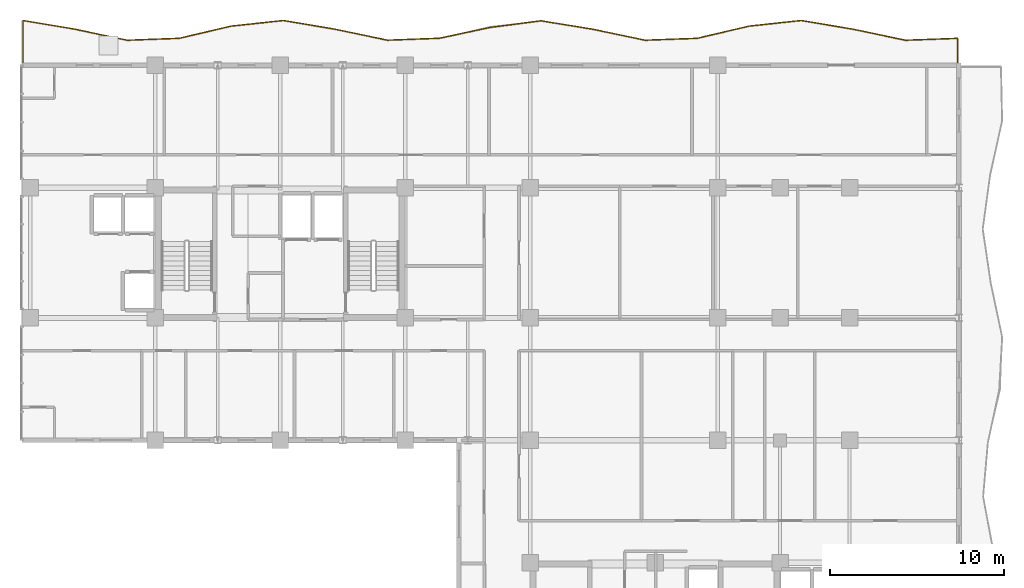
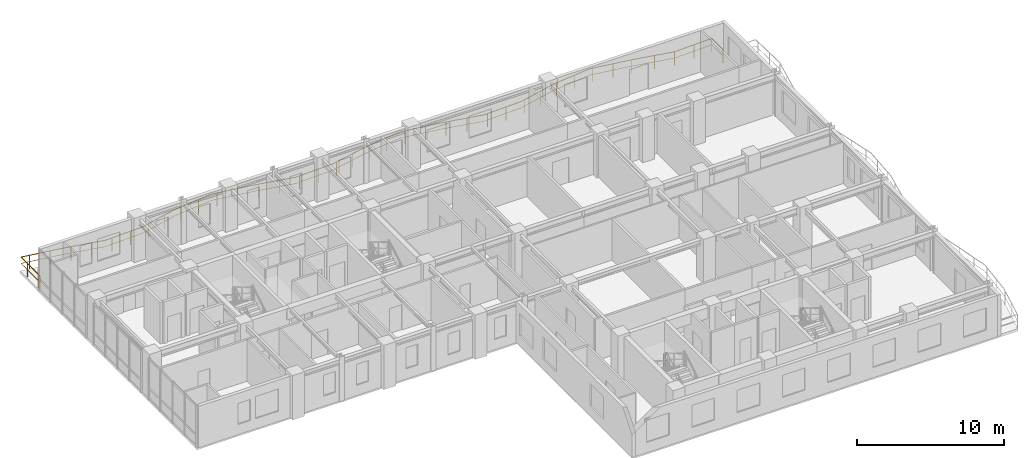
# One storey, part 20 of 20: 1 railing.
"""IFC4 building model written with IfcOpenShell, lengths in metres."""

from ifc_helpers import new_model, si_unit, direction, frame, origin, origin_2d, place, context, subcontext, project, spatial, rectangle, extrude, material, type_object, element, save


model = new_model("IFC4")

# Units and contexts
model_context = context("Model", 3, precision=1e-05, world=origin(), true_north=direction((0.0, 1.0)))
body_context = subcontext(model_context, "Body", "Model", "MODEL_VIEW")
ifc_project = project(units=[si_unit("LENGTHUNIT", "METRE"), si_unit("AREAUNIT", "SQUARE_METRE"), si_unit("VOLUMEUNIT", "CUBIC_METRE"), si_unit("PLANEANGLEUNIT", "RADIAN"), si_unit("MASSUNIT", "GRAM", prefix="KILO")], contexts=[model_context])

# Site, building, storey
site_placement = place(None, origin())
site = spatial("IfcSite", under=ifc_project, at=site_placement, CompositionType="ELEMENT")
building_placement = place(site_placement, origin())
building = spatial("IfcBuilding", under=site, at=building_placement, Name="Kaliganga Portal Commons", CompositionType="ELEMENT")
storey_placement = place(building_placement, frame((0.0, 0.0, 216.60009765625)))
storey = spatial("IfcBuildingStorey", under=building, at=storey_placement, Name="L55", CompositionType="ELEMENT", Elevation=216.60009765625)

# Railing
ifc_material = material(Name="Laminated Safety Glass and Stainless Steel 316", Category="steel")
railing_type = type_object("IfcRailingType", Name="RLG-BAL-1150", PredefinedType="BALUSTRADE", material=ifc_material)
railing_placement = place(storey_placement, frame((60.6201171875, 43.205322265625, 0.0)))
element("IfcRailing", 1, at=railing_placement, inside=storey, type_object=railing_type, Name="Balcony Guardrail L55 balc_north", PredefinedType="BALUSTRADE", context=body_context, shape_type="SweptSolid", body=[
    extrude(rectangle(XDim=0.048095703125, YDim=0.048095703125, at=origin_2d()), frame((0.0, 0.0, 1.1259765625), z_axis=(0.0, 1.0, 0.0), x_axis=(-1.0, 0.0, 0.0)), (0.0, 0.0, 1.0), 1.5556640625),
    extrude(rectangle(XDim=0.028076171875, YDim=0.028076171875, at=origin_2d()), frame((0.0, 0.0, 0.597900390625), z_axis=(0.0, 1.0, 0.0), x_axis=(-1.0, 0.0, 0.0)), (0.0, 0.0, 1.0), 1.5556640625),
    extrude(rectangle(XDim=0.048095703125, YDim=0.048095703125, at=origin_2d()), frame((0.0, 1.5556640625, 1.1259765625), z_axis=(-0.999309140454, -0.03716506162, 0.0), x_axis=(0.03716506162, -0.999309140454, 0.0)), (0.0, 0.0, 1.0), 3.001953125),
    extrude(rectangle(XDim=0.028076171875, YDim=0.028076171875, at=origin_2d()), frame((0.0, 1.5556640625, 0.597900390625), z_axis=(-0.999309140454, -0.03716506162, 0.0), x_axis=(0.03716506162, -0.999309140454, 0.0)), (0.0, 0.0, 1.0), 3.001953125),
    extrude(rectangle(XDim=0.048095703125, YDim=0.048095703125, at=origin_2d()), frame((-3.0, 1.444091796875, 1.1259765625), z_axis=(-0.978275241205, 0.207310280607, 0.0), x_axis=(-0.207310280607, -0.978275241205, 0.0)), (0.0, 0.0, 1.0), 3.066650390625),
    extrude(rectangle(XDim=0.028076171875, YDim=0.028076171875, at=origin_2d()), frame((-3.0, 1.444091796875, 0.597900390625), z_axis=(-0.978275241205, 0.207310280607, 0.0), x_axis=(-0.207310280607, -0.978275241205, 0.0)), (0.0, 0.0, 1.0), 3.066650390625),
    extrude(rectangle(XDim=0.048095703125, YDim=0.048095703125, at=origin_2d()), frame((-6.0, 2.079833984375, 1.1259765625), z_axis=(-0.986198008648, 0.165570189766, 0.0), x_axis=(-0.165570189766, -0.986198008648, 0.0)), (0.0, 0.0, 1.0), 3.0419921875),
    extrude(rectangle(XDim=0.028076171875, YDim=0.028076171875, at=origin_2d()), frame((-6.0, 2.079833984375, 0.597900390625), z_axis=(-0.986198008648, 0.165570189766, 0.0), x_axis=(-0.165570189766, -0.986198008648, 0.0)), (0.0, 0.0, 1.0), 3.0419921875),
    extrude(rectangle(XDim=0.048095703125, YDim=0.048095703125, at=origin_2d()), frame((-9.0, 2.58349609375, 1.1259765625), z_axis=(-0.994219425712, -0.107367283359, 0.0), x_axis=(0.107367283359, -0.994219425712, 0.0)), (0.0, 0.0, 1.0), 3.017333984375),
    extrude(rectangle(XDim=0.028076171875, YDim=0.028076171875, at=origin_2d()), frame((-9.0, 2.58349609375, 0.597900390625), z_axis=(-0.994219425712, -0.107367283359, 0.0), x_axis=(0.107367283359, -0.994219425712, 0.0)), (0.0, 0.0, 1.0), 3.017333984375),
    extrude(rectangle(XDim=0.048095703125, YDim=0.048095703125, at=origin_2d()), frame((-12.0, 2.259521484375, 1.1259765625), z_axis=(-0.973633911269, -0.228116213423, 0.0), x_axis=(0.228116213423, -0.973633911269, 0.0)), (0.0, 0.0, 1.0), 3.081298828125),
    extrude(rectangle(XDim=0.028076171875, YDim=0.028076171875, at=origin_2d()), frame((-12.0, 2.259521484375, 0.597900390625), z_axis=(-0.973633911269, -0.228116213423, 0.0), x_axis=(0.228116213423, -0.973633911269, 0.0)), (0.0, 0.0, 1.0), 3.081298828125),
    extrude(rectangle(XDim=0.048095703125, YDim=0.048095703125, at=origin_2d()), frame((-15.0, 1.556640625, 1.1259765625), z_axis=(-0.999321169091, -0.036840209114, 0.0), x_axis=(0.036840209114, -0.999321169091, 0.0)), (0.0, 0.0, 1.0), 3.001953125),
    extrude(rectangle(XDim=0.028076171875, YDim=0.028076171875, at=origin_2d()), frame((-15.0, 1.556640625, 0.597900390625), z_axis=(-0.999321169091, -0.036840209114, 0.0), x_axis=(0.036840209114, -0.999321169091, 0.0)), (0.0, 0.0, 1.0), 3.001953125),
    extrude(rectangle(XDim=0.048095703125, YDim=0.048095703125, at=origin_2d()), frame((-18.0, 1.446044921875, 1.1259765625), z_axis=(-0.978597077501, 0.205785713563, 0.0), x_axis=(-0.205785713563, -0.978597077501, 0.0)), (0.0, 0.0, 1.0), 3.065673828125),
    extrude(rectangle(XDim=0.028076171875, YDim=0.028076171875, at=origin_2d()), frame((-18.0, 1.446044921875, 0.597900390625), z_axis=(-0.978597077501, 0.205785713563, 0.0), x_axis=(-0.205785713563, -0.978597077501, 0.0)), (0.0, 0.0, 1.0), 3.065673828125),
    extrude(rectangle(XDim=0.048095703125, YDim=0.048095703125, at=origin_2d()), frame((-21.0, 2.076904296875, 1.1259765625), z_axis=(-0.986925313744, 0.161178240128, 0.0), x_axis=(-0.161178240128, -0.986925313744, 0.0)), (0.0, 0.0, 1.0), 3.037109375),
    extrude(rectangle(XDim=0.028076171875, YDim=0.028076171875, at=origin_2d()), frame((-21.0, 2.076904296875, 0.597900390625), z_axis=(-0.986925313744, 0.161178240128, 0.0), x_axis=(-0.161178240128, -0.986925313744, 0.0)), (0.0, 0.0, 1.0), 3.037109375),
    extrude(rectangle(XDim=0.048095703125, YDim=0.048095703125, at=origin_2d()), frame((-23.997314453125, 2.56640625, 1.1259765625), z_axis=(-0.991467820321, -0.130351683026, 0.0), x_axis=(0.130351683026, -0.991467820321, 0.0)), (0.0, 0.0, 1.0), 2.947998046875),
    extrude(rectangle(XDim=0.028076171875, YDim=0.028076171875, at=origin_2d()), frame((-23.997314453125, 2.56640625, 0.597900390625), z_axis=(-0.991467820321, -0.130351683026, 0.0), x_axis=(0.130351683026, -0.991467820321, 0.0)), (0.0, 0.0, 1.0), 2.947998046875),
    extrude(rectangle(XDim=0.048095703125, YDim=0.048095703125, at=origin_2d()), frame((-26.920166015625, 2.18212890625, 1.1259765625), z_axis=(-0.978137438655, -0.207959493897, 0.0), x_axis=(0.207959493897, -0.978137438655, 0.0)), (0.0, 0.0, 1.0), 2.9853515625),
    extrude(rectangle(XDim=0.028076171875, YDim=0.028076171875, at=origin_2d()), frame((-26.920166015625, 2.18212890625, 0.597900390625), z_axis=(-0.978137438655, -0.207959493897, 0.0), x_axis=(0.207959493897, -0.978137438655, 0.0)), (0.0, 0.0, 1.0), 2.9853515625),
    extrude(rectangle(XDim=0.048095703125, YDim=0.048095703125, at=origin_2d()), frame((-29.84033203125, 1.561279296875, 1.1259765625), z_axis=(-0.999281691014, -0.037895936524, 0.0), x_axis=(0.037895936524, -0.999281691014, 0.0)), (0.0, 0.0, 1.0), 3.002197265625),
    extrude(rectangle(XDim=0.028076171875, YDim=0.028076171875, at=origin_2d()), frame((-29.84033203125, 1.561279296875, 0.597900390625), z_axis=(-0.999281691014, -0.037895936524, 0.0), x_axis=(0.037895936524, -0.999281691014, 0.0)), (0.0, 0.0, 1.0), 3.002197265625),
    extrude(rectangle(XDim=0.048095703125, YDim=0.048095703125, at=origin_2d()), frame((-32.84033203125, 1.447509765625, 1.1259765625), z_axis=(-0.978593704597, 0.205801752477, 0.0), x_axis=(-0.205801752477, -0.978593704597, 0.0)), (0.0, 0.0, 1.0), 3.0654296875),
    extrude(rectangle(XDim=0.028076171875, YDim=0.028076171875, at=origin_2d()), frame((-32.84033203125, 1.447509765625, 0.597900390625), z_axis=(-0.978593704597, 0.205801752477, 0.0), x_axis=(-0.205801752477, -0.978593704597, 0.0)), (0.0, 0.0, 1.0), 3.0654296875),
    extrude(rectangle(XDim=0.048095703125, YDim=0.048095703125, at=origin_2d()), frame((-35.840087890625, 2.078369140625, 1.1259765625), z_axis=(-0.986213308315, 0.165479033424, 0.0), x_axis=(-0.165479033424, -0.986213308315, 0.0)), (0.0, 0.0, 1.0), 3.042236328125),
    extrude(rectangle(XDim=0.028076171875, YDim=0.028076171875, at=origin_2d()), frame((-35.840087890625, 2.078369140625, 0.597900390625), z_axis=(-0.986213308315, 0.165479033424, 0.0), x_axis=(-0.165479033424, -0.986213308315, 0.0)), (0.0, 0.0, 1.0), 3.042236328125),
    extrude(rectangle(XDim=0.048095703125, YDim=0.048095703125, at=origin_2d()), frame((-38.84033203125, 2.581787109375, 1.1259765625), z_axis=(-0.9942788065, -0.106815986374, 0.0), x_axis=(0.106815986374, -0.9942788065, 0.0)), (0.0, 0.0, 1.0), 3.01708984375),
    extrude(rectangle(XDim=0.028076171875, YDim=0.028076171875, at=origin_2d()), frame((-38.84033203125, 2.581787109375, 0.597900390625), z_axis=(-0.9942788065, -0.106815986374, 0.0), x_axis=(0.106815986374, -0.9942788065, 0.0)), (0.0, 0.0, 1.0), 3.01708984375),
    extrude(rectangle(XDim=0.048095703125, YDim=0.048095703125, at=origin_2d()), frame((-41.840087890625, 2.259521484375, 1.1259765625), z_axis=(-0.973598704709, -0.228266428082, 0.0), x_axis=(0.228266428082, -0.973598704709, 0.0)), (0.0, 0.0, 1.0), 3.081298828125),
    extrude(rectangle(XDim=0.028076171875, YDim=0.028076171875, at=origin_2d()), frame((-41.840087890625, 2.259521484375, 0.597900390625), z_axis=(-0.973598704709, -0.228266428082, 0.0), x_axis=(0.228266428082, -0.973598704709, 0.0)), (0.0, 0.0, 1.0), 3.081298828125),
    extrude(rectangle(XDim=0.048095703125, YDim=0.048095703125, at=origin_2d()), frame((-44.840087890625, 1.55615234375, 1.1259765625), z_axis=(-0.99930611684, -0.03724627291, 0.0), x_axis=(0.03724627291, -0.99930611684, 0.0)), (0.0, 0.0, 1.0), 3.002197265625),
    extrude(rectangle(XDim=0.028076171875, YDim=0.028076171875, at=origin_2d()), frame((-44.840087890625, 1.55615234375, 0.597900390625), z_axis=(-0.99930611684, -0.03724627291, 0.0), x_axis=(0.03724627291, -0.99930611684, 0.0)), (0.0, 0.0, 1.0), 3.002197265625),
    extrude(rectangle(XDim=0.048095703125, YDim=0.048095703125, at=origin_2d()), frame((-47.840087890625, 1.4443359375, 1.1259765625), z_axis=(-0.978275241205, 0.207310280607, 0.0), x_axis=(-0.207310280607, -0.978275241205, 0.0)), (0.0, 0.0, 1.0), 3.066650390625),
    extrude(rectangle(XDim=0.028076171875, YDim=0.028076171875, at=origin_2d()), frame((-47.840087890625, 1.4443359375, 0.597900390625), z_axis=(-0.978275241205, 0.207310280607, 0.0), x_axis=(-0.207310280607, -0.978275241205, 0.0)), (0.0, 0.0, 1.0), 3.066650390625),
    extrude(rectangle(XDim=0.048095703125, YDim=0.048095703125, at=origin_2d()), frame((-50.840087890625, 2.080078125, 1.1259765625), z_axis=(-0.986145542963, 0.165882392359, 0.0), x_axis=(-0.165882392359, -0.986145542963, 0.0)), (0.0, 0.0, 1.0), 3.042236328125),
    extrude(rectangle(XDim=0.028076171875, YDim=0.028076171875, at=origin_2d()), frame((-50.840087890625, 2.080078125, 0.597900390625), z_axis=(-0.986145542963, 0.165882392359, 0.0), x_axis=(-0.165882392359, -0.986145542963, 0.0)), (0.0, 0.0, 1.0), 3.042236328125),
    extrude(rectangle(XDim=0.048095703125, YDim=0.048095703125, at=origin_2d()), frame((-53.840087890625, 2.584716796875, 1.1259765625), z_axis=(-9.4455464e-05, -0.999999995539, 0.0), x_axis=(0.999999995539, -9.4455464e-05, 0.0)), (0.0, 0.0, 1.0), 2.584716796875),
    extrude(rectangle(XDim=0.028076171875, YDim=0.028076171875, at=origin_2d()), frame((-53.840087890625, 2.584716796875, 0.597900390625), z_axis=(-9.4455464e-05, -0.999999995539, 0.0), x_axis=(0.999999995539, -9.4455464e-05, 0.0)), (0.0, 0.0, 1.0), 2.584716796875),
    extrude(rectangle(XDim=0.0419921875, YDim=0.0419921875, at=origin_2d()), origin(), (0.0, 0.0, 1.0), 1.101806640625),
    extrude(rectangle(XDim=0.0419921875, YDim=0.0419921875, at=origin_2d()), frame((0.0, 1.5556640625, 0.0)), (0.0, 0.0, 1.0), 1.101806640625),
    extrude(rectangle(XDim=0.0419921875, YDim=0.0419921875, at=origin_2d()), frame((-1.443359375, 1.501953125, 0.0)), (0.0, 0.0, 1.0), 1.101806640625),
    extrude(rectangle(XDim=0.0419921875, YDim=0.0419921875, at=origin_2d()), frame((-3.0, 1.444091796875, 0.0)), (0.0, 0.0, 1.0), 1.101806640625),
    extrude(rectangle(XDim=0.0419921875, YDim=0.0419921875, at=origin_2d()), frame((-4.410888671875, 1.7431640625, 0.0)), (0.0, 0.0, 1.0), 1.101806640625),
    extrude(rectangle(XDim=0.0419921875, YDim=0.0419921875, at=origin_2d()), frame((-6.0, 2.079833984375, 0.0)), (0.0, 0.0, 1.0), 1.101806640625),
    extrude(rectangle(XDim=0.0419921875, YDim=0.0419921875, at=origin_2d()), frame((-7.356689453125, 2.3076171875, 0.0)), (0.0, 0.0, 1.0), 1.101806640625),
    extrude(rectangle(XDim=0.0419921875, YDim=0.0419921875, at=origin_2d()), frame((-8.8359375, 2.555908203125, 0.0)), (0.0, 0.0, 1.0), 1.101806640625),
    extrude(rectangle(XDim=0.0419921875, YDim=0.0419921875, at=origin_2d()), frame((-10.325927734375, 2.440185546875, 0.0)), (0.0, 0.0, 1.0), 1.101806640625),
    extrude(rectangle(XDim=0.0419921875, YDim=0.0419921875, at=origin_2d()), frame((-11.8173828125, 2.279296875, 0.0)), (0.0, 0.0, 1.0), 1.101806640625),
    extrude(rectangle(XDim=0.0419921875, YDim=0.0419921875, at=origin_2d()), frame((-13.281494140625, 1.959228515625, 0.0)), (0.0, 0.0, 1.0), 1.101806640625),
    extrude(rectangle(XDim=0.0419921875, YDim=0.0419921875, at=origin_2d()), frame((-14.741943359375, 1.6171875, 0.0)), (0.0, 0.0, 1.0), 1.101806640625),
    extrude(rectangle(XDim=0.0419921875, YDim=0.0419921875, at=origin_2d()), frame((-16.234130859375, 1.51123046875, 0.0)), (0.0, 0.0, 1.0), 1.101806640625),
    extrude(rectangle(XDim=0.0419921875, YDim=0.0419921875, at=origin_2d()), frame((-17.733154296875, 1.455810546875, 0.0)), (0.0, 0.0, 1.0), 1.101806640625),
    extrude(rectangle(XDim=0.0419921875, YDim=0.0419921875, at=origin_2d()), frame((-19.20654296875, 1.69970703125, 0.0)), (0.0, 0.0, 1.0), 1.101806640625),
    extrude(rectangle(XDim=0.0419921875, YDim=0.0419921875, at=origin_2d()), frame((-20.674560546875, 2.008544921875, 0.0)), (0.0, 0.0, 1.0), 1.101806640625),
    extrude(rectangle(XDim=0.0419921875, YDim=0.0419921875, at=origin_2d()), frame((-22.152099609375, 2.26513671875, 0.0)), (0.0, 0.0, 1.0), 1.101806640625),
    extrude(rectangle(XDim=0.0419921875, YDim=0.0419921875, at=origin_2d()), frame((-23.632568359375, 2.5068359375, 0.0)), (0.0, 0.0, 1.0), 1.101806640625),
    extrude(rectangle(XDim=0.0419921875, YDim=0.0419921875, at=origin_2d()), frame((-25.117919921875, 2.419189453125, 0.0)), (0.0, 0.0, 1.0), 1.101806640625),
    extrude(rectangle(XDim=0.0419921875, YDim=0.0419921875, at=origin_2d()), frame((-26.605224609375, 2.2236328125, 0.0)), (0.0, 0.0, 1.0), 1.101806640625),
    extrude(rectangle(XDim=0.0419921875, YDim=0.0419921875, at=origin_2d()), frame((-28.07666015625, 1.936279296875, 0.0)), (0.0, 0.0, 1.0), 1.101806640625),
    extrude(rectangle(XDim=0.0419921875, YDim=0.0419921875, at=origin_2d()), frame((-29.543701171875, 1.624267578125, 0.0)), (0.0, 0.0, 1.0), 1.101806640625),
    extrude(rectangle(XDim=0.0419921875, YDim=0.0419921875, at=origin_2d()), frame((-31.036376953125, 1.515869140625, 0.0)), (0.0, 0.0, 1.0), 1.101806640625),
    extrude(rectangle(XDim=0.0419921875, YDim=0.0419921875, at=origin_2d()), frame((-32.53515625, 1.458984375, 0.0)), (0.0, 0.0, 1.0), 1.101806640625),
    extrude(rectangle(XDim=0.0419921875, YDim=0.0419921875, at=origin_2d()), frame((-34.009521484375, 1.693359375, 0.0)), (0.0, 0.0, 1.0), 1.101806640625),
    extrude(rectangle(XDim=0.0419921875, YDim=0.0419921875, at=origin_2d()), frame((-35.477294921875, 2.002197265625, 0.0)), (0.0, 0.0, 1.0), 1.101806640625),
    extrude(rectangle(XDim=0.0419921875, YDim=0.0419921875, at=origin_2d()), frame((-36.953857421875, 2.26513671875, 0.0)), (0.0, 0.0, 1.0), 1.101806640625),
    extrude(rectangle(XDim=0.0419921875, YDim=0.0419921875, at=origin_2d()), frame((-38.43310546875, 2.513427734375, 0.0)), (0.0, 0.0, 1.0), 1.101806640625),
    extrude(rectangle(XDim=0.0419921875, YDim=0.0419921875, at=origin_2d()), frame((-39.921142578125, 2.465576171875, 0.0)), (0.0, 0.0, 1.0), 1.101806640625),
    extrude(rectangle(XDim=0.0419921875, YDim=0.0419921875, at=origin_2d()), frame((-41.41259765625, 2.305419921875, 0.0)), (0.0, 0.0, 1.0), 1.101806640625),
    extrude(rectangle(XDim=0.0419921875, YDim=0.0419921875, at=origin_2d()), frame((-42.882080078125, 2.01513671875, 0.0)), (0.0, 0.0, 1.0), 1.101806640625),
    extrude(rectangle(XDim=0.0419921875, YDim=0.0419921875, at=origin_2d()), frame((-44.34228515625, 1.6728515625, 0.0)), (0.0, 0.0, 1.0), 1.101806640625),
    extrude(rectangle(XDim=0.0419921875, YDim=0.0419921875, at=origin_2d()), frame((-45.828125, 1.519287109375, 0.0)), (0.0, 0.0, 1.0), 1.101806640625),
    extrude(rectangle(XDim=0.0419921875, YDim=0.0419921875, at=origin_2d()), frame((-47.3271484375, 1.46337890625, 0.0)), (0.0, 0.0, 1.0), 1.101806640625),
    extrude(rectangle(XDim=0.0419921875, YDim=0.0419921875, at=origin_2d()), frame((-48.805419921875, 1.64892578125, 0.0)), (0.0, 0.0, 1.0), 1.101806640625),
    extrude(rectangle(XDim=0.0419921875, YDim=0.0419921875, at=origin_2d()), frame((-50.272705078125, 1.9599609375, 0.0)), (0.0, 0.0, 1.0), 1.101806640625),
    extrude(rectangle(XDim=0.0419921875, YDim=0.0419921875, at=origin_2d()), frame((-51.747314453125, 2.232666015625, 0.0)), (0.0, 0.0, 1.0), 1.101806640625),
    extrude(rectangle(XDim=0.0419921875, YDim=0.0419921875, at=origin_2d()), frame((-53.2265625, 2.4814453125, 0.0)), (0.0, 0.0, 1.0), 1.101806640625),
    extrude(rectangle(XDim=0.0419921875, YDim=0.0419921875, at=origin_2d()), frame((-53.840087890625, 1.706787109375, 0.0)), (0.0, 0.0, 1.0), 1.101806640625),
    extrude(rectangle(XDim=0.0419921875, YDim=0.0419921875, at=origin_2d()), frame((-53.84033203125, 0.206787109375, 0.0)), (0.0, 0.0, 1.0), 1.101806640625),
    extrude(rectangle(XDim=0.0419921875, YDim=0.0419921875, at=origin_2d()), frame((-53.84033203125, 0.0, 0.0)), (0.0, 0.0, 1.0), 1.101806640625),
])

save(model, "model.ifc")
